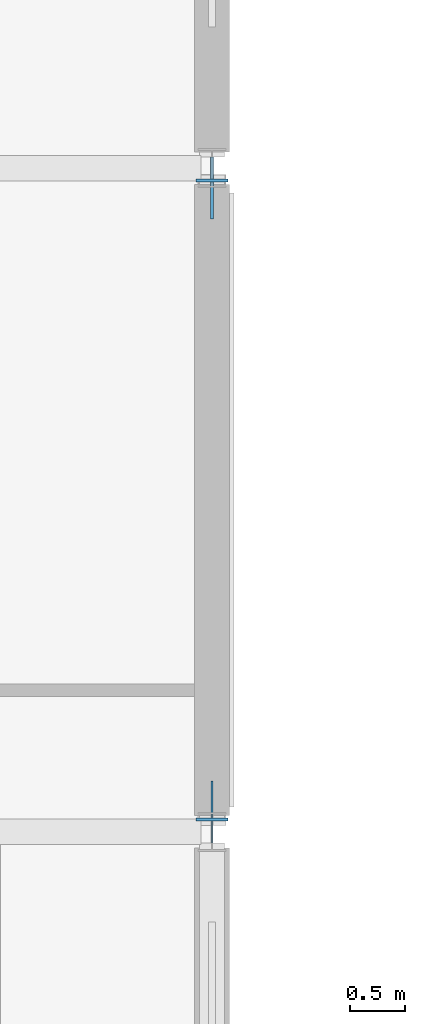
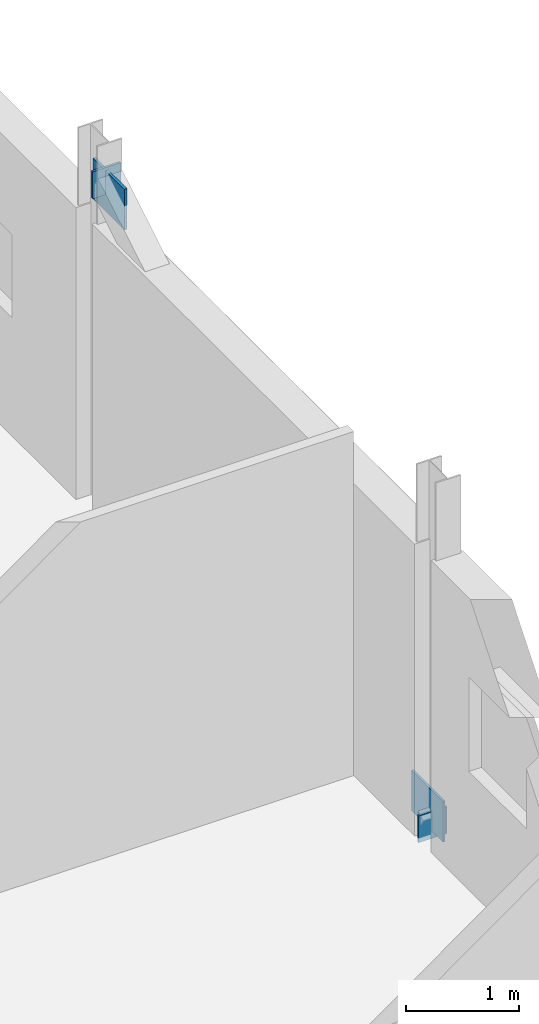
# One storey, part 58 of 92: 4 plates.
"""IFC4 building model written with IfcOpenShell, lengths in metres."""

from ifc_helpers import new_model, si_unit, direction, frame, origin, origin_2d, place, context, subcontext, project, spatial, rectangle, extrude, material, layer, layer_set, type_object, element, save


model = new_model("IFC4")

# Units and contexts
model_context = context("Model", 3, precision=1e-05, world=origin(), true_north=direction((0.0, 1.0)))
body_context = subcontext(model_context, "Body", "Model", "MODEL_VIEW")
ifc_project = project(units=[si_unit("LENGTHUNIT", "METRE"), si_unit("AREAUNIT", "SQUARE_METRE"), si_unit("VOLUMEUNIT", "CUBIC_METRE"), si_unit("PLANEANGLEUNIT", "RADIAN"), si_unit("MASSUNIT", "GRAM", prefix="KILO")], contexts=[model_context])

# Site, building, storey
site_placement = place(None, origin())
site = spatial("IfcSite", under=ifc_project, at=site_placement, CompositionType="ELEMENT")
building_placement = place(site_placement, origin())
building = spatial("IfcBuilding", under=site, at=building_placement, Name="Siltcreek Boulevard Central Fire Station", CompositionType="ELEMENT")
storey_placement = place(building_placement, frame((0.0, 0.0, 6.0)))
storey = spatial("IfcBuildingStorey", under=building, at=storey_placement, Name="L02", CompositionType="ELEMENT", Elevation=6.0)

# Plates
ifc_material = material(Name="Structural steel ASTM A572 Gr50", Category="steel")
ifc_layer_1 = layer(ifc_material, 0.02490234375, Name="Structural steel ASTM A572 Gr50")
ifc_layer_set_1 = layer_set([ifc_layer_1], Name="Structural steel ASTM A572 Gr50")
plate_type_1 = type_object("IfcPlateType", Name="PL_CAP25", PredefinedType="USERDEFINED", material=ifc_layer_set_1)
for number, where, z_axis, x_axis, name in (
    (1, (108.0, 36.111083984375, -0.050537109375), (0.0, 0.0, 1.0), (0.0, 1.0, 0.0), "L02 buckling-restrained brace BR-009 sealed end cap 1"),
    (2, (108.0, 41.888916015625, 3.410400390625), (0.0, 0.0, 1.0), (0.0, 1.0, 0.0), "L02 buckling-restrained brace BR-009 sealed end cap 2"),
):
    element("IfcPlate", number, at=place(storey_placement, frame(where, z_axis=z_axis, x_axis=x_axis)), inside=storey, type_object=plate_type_1, Name=name, ObjectType="END CAP", PredefinedType="USERDEFINED", context=body_context, shape_type="SweptSolid", body=[
        extrude(rectangle(XDim=0.02490234375, YDim=0.2900390625, at=origin_2d()), origin(), (0.0, 0.0, 1.0), 0.2900390625),
    ])
ifc_layer_2 = layer(ifc_material, 0.02197265625, Name="Structural steel ASTM A572 Gr50")
ifc_layer_set_2 = layer_set([ifc_layer_2], Name="Structural steel ASTM A572 Gr50")
plate_type_2 = type_object("IfcPlateType", Name="PL_GUS22", PredefinedType="USERDEFINED", material=ifc_layer_set_2)
plate_1_placement = place(storey_placement, frame((108.0, 36.179931640625, 0.030029296875), z_axis=(0.0, 0.0, 1.0), x_axis=(0.0, 1.0, 0.0)))
element("IfcPlate", 3, at=plate_1_placement, inside=storey, type_object=plate_type_2, Name="Seismic brace bot gusset plate GP-051", ObjectType="GUSSET PLATE", PredefinedType="USERDEFINED", context=body_context, shape_type="SweptSolid", body=[
    extrude(rectangle(XDim=0.56005859375, YDim=0.02197265625, at=origin_2d()), origin(), (0.0, 0.0, 1.0), 0.43994140625),
])
ifc_layer_3 = layer(ifc_material, 0.028076171875, Name="Structural steel ASTM A572 Gr50")
ifc_layer_set_3 = layer_set([ifc_layer_3], Name="Structural steel ASTM A572 Gr50")
plate_type_3 = type_object("IfcPlateType", Name="PL_GUS28", PredefinedType="USERDEFINED", material=ifc_layer_set_3)
plate_2_placement = place(storey_placement, frame((108.0, 41.820068359375, 3.22998046875), z_axis=(0.0, 0.0, 1.0), x_axis=(0.0, 1.0, 0.0)))
element("IfcPlate", 4, at=plate_2_placement, inside=storey, type_object=plate_type_3, Name="Seismic brace top gusset plate GP-052", ObjectType="GUSSET PLATE", PredefinedType="USERDEFINED", context=body_context, shape_type="SweptSolid", body=[
    extrude(rectangle(XDim=0.56005859375, YDim=0.028076171875, at=origin_2d()), origin(), (0.0, 0.0, 1.0), 0.43994140625),
])

save(model, "model.ifc")
